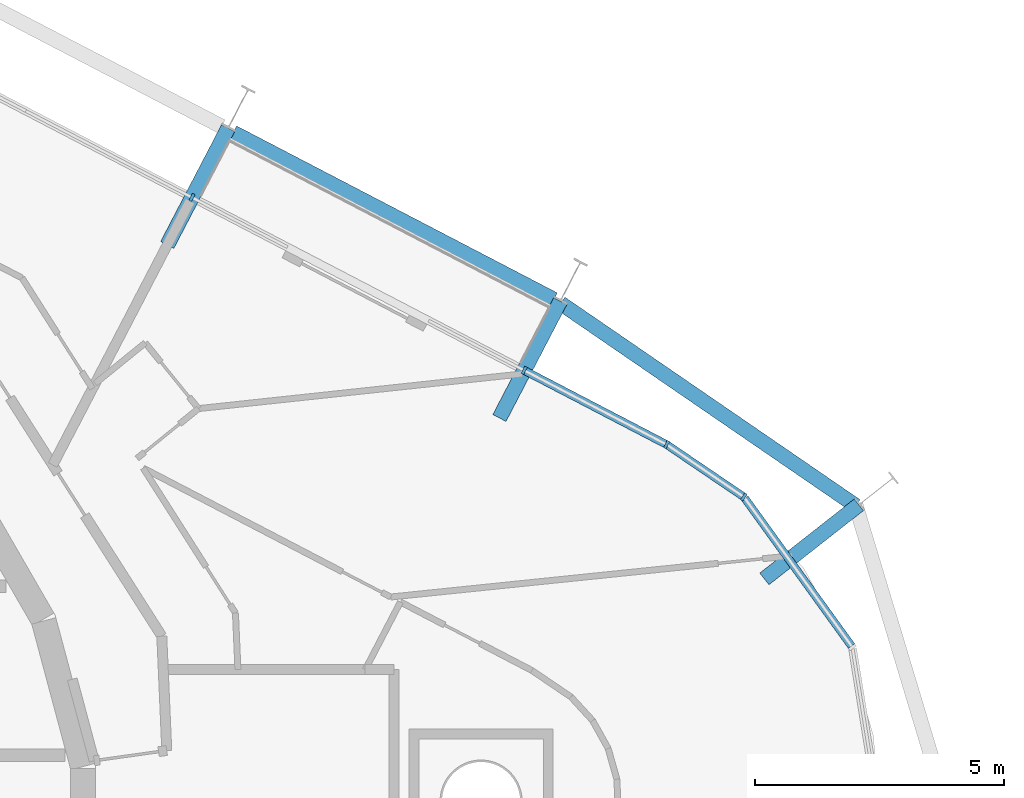
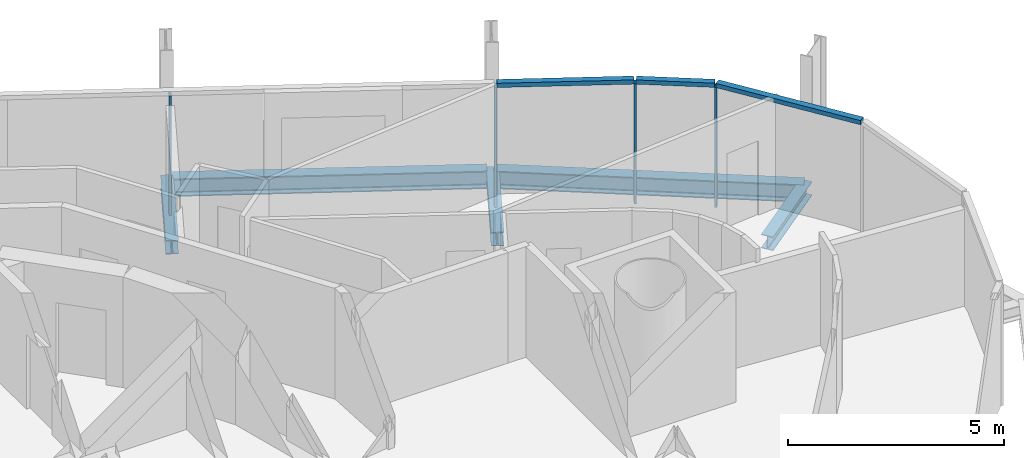
# One storey, part 9 of 18: 7 members, 5 beams, 2 elements without a shape of their own.
"""IFC4 building model written with IfcOpenShell, lengths in metres."""

from ifc_helpers import new_model, si_unit, direction, frame, origin, origin_2d, place, context, subcontext, project, spatial, rectangle, i_section, extrude, material, layer, layer_set, material_profile, profile_set, type_object, element, aggregate, save


model = new_model("IFC4")

# Units and contexts
model_context = context("Model", 3, precision=1e-05, world=origin(), true_north=direction((0.0, 1.0)))
body_context = subcontext(model_context, "Body", "Model", "MODEL_VIEW")
ifc_project = project(units=[si_unit("LENGTHUNIT", "METRE"), si_unit("AREAUNIT", "SQUARE_METRE"), si_unit("VOLUMEUNIT", "CUBIC_METRE"), si_unit("PLANEANGLEUNIT", "RADIAN"), si_unit("MASSUNIT", "GRAM", prefix="KILO")], contexts=[model_context])

# Site, building, storey
site_placement = place(None, origin())
site = spatial("IfcSite", under=ifc_project, at=site_placement, CompositionType="ELEMENT")
building_placement = place(site_placement, origin())
building = spatial("IfcBuilding", under=site, at=building_placement, Name="Spindle Arch Residences", CompositionType="ELEMENT")
storey_placement = place(building_placement, frame((0.0, 0.0, 251.199951171875)))
storey = spatial("IfcBuildingStorey", under=building, at=storey_placement, Name="L64", CompositionType="ELEMENT", Elevation=251.199951171875)

# Curtain wall, members
ifc_material_1 = material(Name="Aluminium bronze unitised frame with tinted glass", Category="aluminium")
ifc_layer_1 = layer(ifc_material_1, 0.159912109375)
ifc_layer_set_1 = layer_set([ifc_layer_1], Name="CW-D corner wall on the fillet arcs")
curtain_wall_type_1 = type_object("IfcCurtainWallType", Name="CW-D corner wall on the fillet arcs", PredefinedType="NOTDEFINED", material=ifc_layer_set_1)
curtain_wall_1_placement = place(storey_placement, origin())
curtain_wall_1 = element("IfcCurtainWall", 1, at=curtain_wall_1_placement, inside=storey, type_object=curtain_wall_type_1, Name="CW-D L64 run 1", PredefinedType="NOTDEFINED")
ifc_material_2 = material(Name="Aluminium bronze anodised mullion", Category="aluminium")
ifc_material_profile_1 = material_profile(ifc_material_2, rectangle(XDim=0.159912109375, YDim=0.06005859375, at=origin_2d()), Name="MU 60x160")
ifc_profile_set_1 = profile_set([ifc_material_profile_1], Name="Aluminium bronze anodised mullion")
member_type_1 = type_object("IfcMemberType", Name="Bronze mullion 60x160", PredefinedType="MULLION", material=ifc_profile_set_1)
member_1_placement = place(storey_placement, frame((24.93310546875, 6.971435546875, -0.3798828125), z_axis=(0.0, 0.0, 1.0), x_axis=(-0.561602105546, -0.827407441981, 0.0)))
member_1 = element("IfcMember", 2, at=member_1_placement, type_object=member_type_1, Name="CW-D mullion 05", PredefinedType="MULLION", context=body_context, shape_type="SweptSolid", body=[
    extrude(rectangle(XDim=0.159912109375, YDim=0.06005859375, at=origin_2d()), origin(), (0.0, 0.0, 1.0), 3.3798828125),
])
member_2_placement = place(storey_placement, frame((23.380859375, 8.02490234375, -0.3798828125), z_axis=(0.0, 0.0, 1.0), x_axis=(-0.461748613235, -0.887010833178, 0.0)))
member_2 = element("IfcMember", 3, at=member_2_placement, type_object=member_type_1, Name="CW-D mullion 06", PredefinedType="MULLION", context=body_context, shape_type="SweptSolid", body=[
    extrude(rectangle(XDim=0.159912109375, YDim=0.06005859375, at=origin_2d()), origin(), (0.0, 0.0, 1.0), 3.3798828125),
])

ifc_material_3 = material(Name="Aluminium bronze unitised frame with tinted glass", Category="aluminium")
ifc_layer_2 = layer(ifc_material_3, 0.159912109375)
ifc_layer_set_2 = layer_set([ifc_layer_2], Name="CW-C typical residential unitised wall")
curtain_wall_type_2 = type_object("IfcCurtainWallType", Name="CW-C typical residential unitised wall", PredefinedType="NOTDEFINED", material=ifc_layer_set_2)
curtain_wall_2_placement = place(storey_placement, origin())
curtain_wall_2 = element("IfcCurtainWall", 4, at=curtain_wall_2_placement, inside=storey, type_object=curtain_wall_type_2, Name="CW-C L64 run 2", PredefinedType="NOTDEFINED")
member_3_placement = place(storey_placement, frame((20.517333984375, 9.515625, -0.3798828125), z_axis=(0.0, 0.0, 1.0), x_axis=(-0.461748613235, -0.887010833178, 0.0)))
member_3 = element("IfcMember", 5, at=member_3_placement, type_object=member_type_1, Name="CW-C mullion 05", PredefinedType="MULLION", context=body_context, shape_type="SweptSolid", body=[
    extrude(rectangle(XDim=0.159912109375, YDim=0.06005859375, at=origin_2d()), origin(), (0.0, 0.0, 1.0), 3.3798828125),
])
member_4_placement = place(storey_placement, frame((13.837890625, 12.99267578125, -0.3798828125), z_axis=(0.0, 0.0, 1.0), x_axis=(-0.461748613235, -0.887010833178, 0.0)))
member_4 = element("IfcMember", 6, at=member_4_placement, type_object=member_type_1, Name="CW-C mullion 06", PredefinedType="MULLION", context=body_context, shape_type="SweptSolid", body=[
    extrude(rectangle(XDim=0.159912109375, YDim=0.06005859375, at=origin_2d()), origin(), (0.0, 0.0, 1.0), 3.3798828125),
])
aggregate(curtain_wall_2, [member_3, member_4])

# Member
ifc_material_4 = material(Name="Aluminium bronze anodised transom", Category="aluminium")
ifc_material_profile_2 = material_profile(ifc_material_4, rectangle(XDim=0.159912109375, YDim=0.1201171875, at=origin_2d()), Name="TR 120x160")
ifc_profile_set_2 = profile_set([ifc_material_profile_2], Name="Aluminium bronze anodised transom")
member_type_2 = type_object("IfcMemberType", Name="Bronze transom 120x160", PredefinedType="USERDEFINED", material=ifc_profile_set_2)
member_5_placement = place(storey_placement, frame((27.097412109375, 3.974365234375, 3.06005859375), z_axis=(-0.585456519469, 0.810703807695, 0.0), x_axis=(-0.810703807695, -0.585456519469, 0.0)))
member_5 = element("IfcMember", 7, at=member_5_placement, type_object=member_type_2, Name="CW-D transom 04", ObjectType="TRANSOM", PredefinedType="USERDEFINED", context=body_context, shape_type="SweptSolid", body=[
    extrude(rectangle(XDim=0.159912109375, YDim=0.1201171875, at=origin_2d()), origin(), (0.0, 0.0, 1.0), 3.666748046875),
])

member_6_placement = place(storey_placement, frame((24.908447265625, 6.98828125, 3.06005859375), z_axis=(-0.827451234698, 0.561537580396, 0.0), x_axis=(-0.561537580396, -0.827451234698, 0.0)))
member_6 = element("IfcMember", 8, at=member_6_placement, type_object=member_type_2, Name="CW-D transom 05", ObjectType="TRANSOM", PredefinedType="USERDEFINED", context=body_context, shape_type="SweptSolid", body=[
    extrude(rectangle(XDim=0.159912109375, YDim=0.1201171875, at=origin_2d()), origin(), (0.0, 0.0, 1.0), 1.816162109375),
])

member_7_placement = place(storey_placement, frame((23.354248046875, 8.038818359375, 3.06005859375), z_axis=(-0.886987077292, 0.461794245002, 0.0), x_axis=(-0.461794245002, -0.886987077292, 0.0)))
member_7 = element("IfcMember", 9, at=member_7_placement, type_object=member_type_2, Name="CW-D transom 06", ObjectType="TRANSOM", PredefinedType="USERDEFINED", context=body_context, shape_type="SweptSolid", body=[
    extrude(rectangle(XDim=0.159912109375, YDim=0.1201171875, at=origin_2d()), origin(), (0.0, 0.0, 1.0), 3.16845703125),
])

aggregate(curtain_wall_1, [member_5, member_1, member_6, member_2, member_7])

# Beams
ifc_material_5 = material(Name="Steel S460ML, intumescent coating R 120", Category="steel")
ifc_material_profile_3 = material_profile(ifc_material_5, i_section(OverallWidth=0.300048828125, OverallDepth=0.5, WebThickness=0.014404296875, FlangeThickness=0.028076171875, FilletRadius=0.027099609375, at=origin_2d()), Name="HEB 500")
ifc_profile_set_3 = profile_set([ifc_material_profile_3], Name="Steel S460ML, intumescent coating R 120")
beam_type_1 = type_object("IfcBeamType", Name="Exoskeleton edge beam HEB 500", PredefinedType="BEAM", material=ifc_profile_set_3)
beam_1_placement = place(storey_placement, frame((27.1845703125, 6.7939453125, -0.6298828125), z_axis=(-0.82461761875, 0.565690536289, 0.0), x_axis=(-0.565690536289, -0.82461761875, 0.0)))
element("IfcBeam", 10, at=beam_1_placement, inside=storey, type_object=beam_type_1, Name="Exoskeleton edge beam 5", PredefinedType="BEAM", context=body_context, shape_type="SweptSolid", body=[
    extrude(i_section(OverallWidth=0.300048828125, OverallDepth=0.5, WebThickness=0.014404296875, FlangeThickness=0.028076171875, FilletRadius=0.027099609375, at=origin_2d()), origin(), (0.0, 0.0, 1.0), 7.196044921875),
])
beam_2_placement = place(storey_placement, frame((21.113037109375, 10.94189453125, -0.6298828125), z_axis=(-0.887028136443, 0.461715372452, 0.0), x_axis=(-0.461715372452, -0.887028136443, 0.0)))
element("IfcBeam", 11, at=beam_2_placement, inside=storey, type_object=beam_type_1, Name="Exoskeleton edge beam 6", PredefinedType="BEAM", context=body_context, shape_type="SweptSolid", body=[
    extrude(i_section(OverallWidth=0.300048828125, OverallDepth=0.5, WebThickness=0.014404296875, FlangeThickness=0.028076171875, FilletRadius=0.027099609375, at=origin_2d()), origin(), (0.0, 0.0, 1.0), 7.27001953125),
])
ifc_material_6 = material(Name="Steel S460ML, intumescent coating R 120", Category="steel")
ifc_material_profile_4 = material_profile(ifc_material_6, i_section(OverallWidth=0.300048828125, OverallDepth=0.389892578125, WebThickness=0.010986328125, FlangeThickness=0.01904296875, FilletRadius=0.027099609375, at=origin_2d()), Name="HEA 400")
ifc_profile_set_4 = profile_set([ifc_material_profile_4], Name="Steel S460ML, intumescent coating R 120")
beam_type_2 = type_object("IfcBeamType", Name="Floor outrigger HEA 400", PredefinedType="BEAM", material=ifc_profile_set_4)
beam_3_placement = place(storey_placement, frame((27.244140625, 6.81201171875, -0.574951171875), z_axis=(-0.786970935565, -0.616990070079, 0.0), x_axis=(0.616990070079, -0.786970935565, 0.0)))
element("IfcBeam", 12, at=beam_3_placement, inside=storey, type_object=beam_type_2, Name="Floor outrigger 5", PredefinedType="BEAM", context=body_context, shape_type="SweptSolid", body=[
    extrude(i_section(OverallWidth=0.300048828125, OverallDepth=0.389892578125, WebThickness=0.010986328125, FlangeThickness=0.01904296875, FilletRadius=0.027099609375, at=origin_2d()), origin(), (0.0, 0.0, 1.0), 2.412841796875),
])
for number, where, z_axis, x_axis, name in (
    (13, (21.2421875, 10.908203125, -0.574951171875), (-0.461784931359, -0.886991926215, 0.0), (0.886991926215, -0.461784931359, 0.0), "Floor outrigger 6"),
    (14, (14.56298828125, 14.38525390625, -0.574951171875), (-0.461784931359, -0.886991926215, 0.0), (0.886991926215, -0.461784931359, 0.0), "Floor outrigger 7"),
):
    element("IfcBeam", number, at=place(storey_placement, frame(where, z_axis=z_axis, x_axis=x_axis)), inside=storey, type_object=beam_type_2, Name=name, PredefinedType="BEAM", context=body_context, shape_type="SweptSolid", body=[
        extrude(i_section(OverallWidth=0.300048828125, OverallDepth=0.389892578125, WebThickness=0.010986328125, FlangeThickness=0.01904296875, FilletRadius=0.027099609375, at=origin_2d()), origin(), (0.0, 0.0, 1.0), 2.64990234375),
    ])

save(model, "model.ifc")
